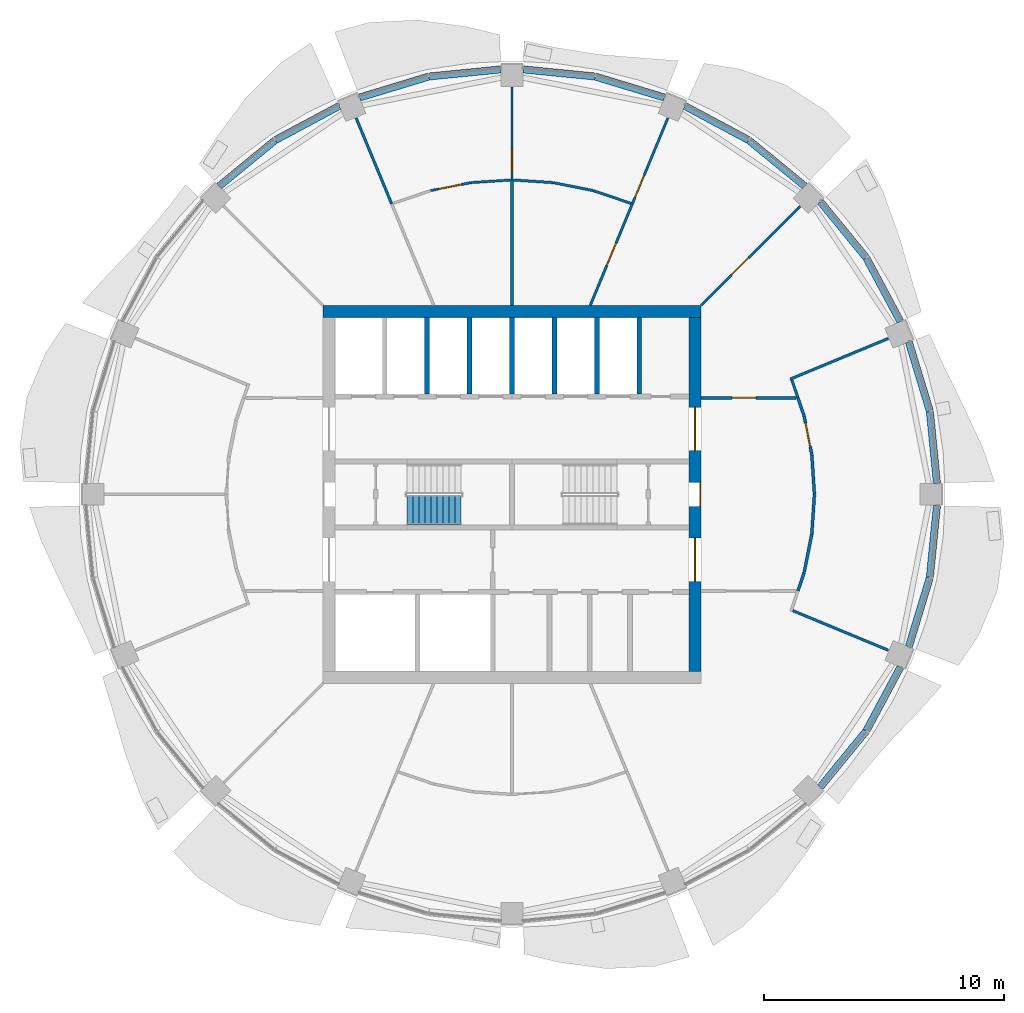
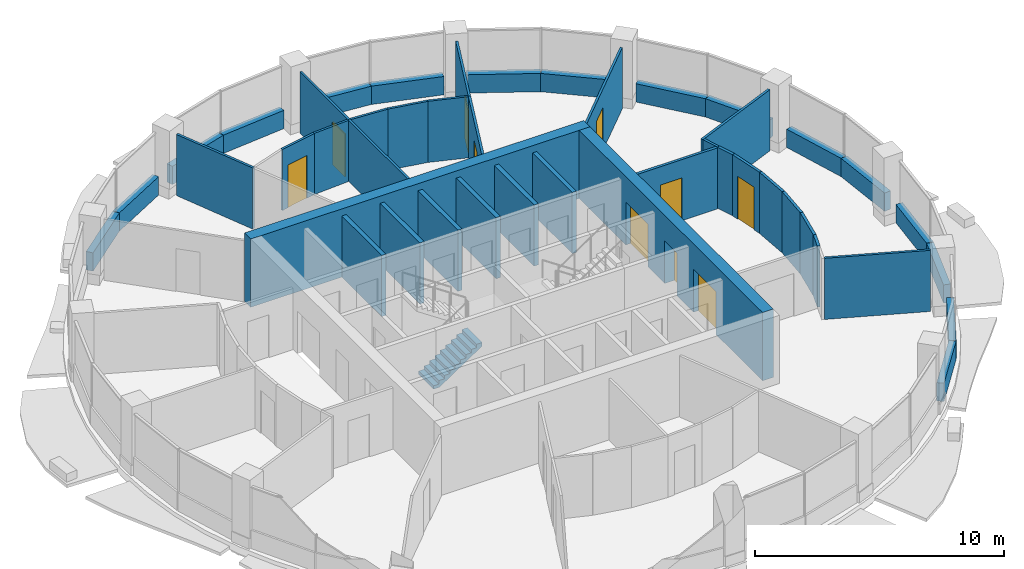
# One storey, part 10 of 15: 45 walls, 10 doors, 1 stair flight, 10 openings, 1 element without a shape of its own.
"""IFC4 building model written with IfcOpenShell, lengths in metres."""

import ifcopenshell
import ifcopenshell.guid

model = None  # the IFC model being written
_history = None  # IfcOwnerHistory: only IFC2X3 demands one
_inside = {}  # id of a spatial element -> (the spatial element, [elements in it])
_under = {}  # id of a project, library or spatial element -> (it, [spatial elements below it])
_declared = {}  # id of a project -> (the project, [libraries it declares])
_typed = {}  # id of a type object -> (the type object, [elements of that type])
_made_of = {}  # id of a material, layer set ... -> (it, [elements and type objects made of it])


def new_model(schema):
    """Start an empty IFC model of exactly this schema.

    Asked for "IFC4X3", IfcOpenShell would pick the latest addendum, in which some entities
    have other attributes; the version numbers below select the first issue.
    IFC2X3 requires an IfcOwnerHistory on every rooted entity: one is made here for all.
    """
    global model, _history
    if schema == "IFC4X3":
        model = ifcopenshell.file(schema_version=(4, 3, 0, 0))
    else:
        model = ifcopenshell.file(schema=schema)
    _inside.clear()
    _under.clear()
    _declared.clear()
    _typed.clear()
    _made_of.clear()
    _history = None
    if model.schema == "IFC2X3":
        org = make("IfcOrganization", Name="unknown")
        user = make(
            "IfcPersonAndOrganization",
            ThePerson=make("IfcPerson", FamilyName="unknown"),
            TheOrganization=org,
        )
        app = make(
            "IfcApplication",
            ApplicationDeveloper=org,
            Version="unknown",
            ApplicationFullName="unknown",
            ApplicationIdentifier="unknown",
        )
        _history = make(
            "IfcOwnerHistory",
            OwningUser=user,
            OwningApplication=app,
            ChangeAction="ADDED",
            CreationDate=0,
        )
    return model


def make(cls, **values):
    """One entity of the class cls with the attributes given. An attribute that is None is left unset."""
    return model.create_entity(
        cls, **{name: value for name, value in values.items() if value is not None}
    )


def rooted(cls, **values):
    """An entity with a GlobalId (a new one), such as an element, a storey or a relation."""
    return make(cls, GlobalId=ifcopenshell.guid.new(), OwnerHistory=_history, **values)


def si_unit(unit_type, name, prefix=None):
    """IfcSIUnit, for example si_unit("LENGTHUNIT", "METRE", prefix="MILLI")."""
    return make("IfcSIUnit", UnitType=unit_type, Prefix=prefix, Name=name)


def assignment(units):
    """IfcUnitAssignment: the units of a project."""
    return None if units is None else make("IfcUnitAssignment", Units=units)


def point(xyz):
    """IfcCartesianPoint."""
    return None if xyz is None else make("IfcCartesianPoint", Coordinates=xyz)


def direction(xyz):
    """IfcDirection."""
    return None if xyz is None else make("IfcDirection", DirectionRatios=xyz)


def frame(location, z_axis=None, x_axis=None):
    """IfcAxis2Placement3D, a coordinate frame: its origin and axes. An axis left out is left unset."""
    return make(
        "IfcAxis2Placement3D",
        Location=point(location),
        Axis=direction(z_axis),
        RefDirection=direction(x_axis),
    )


def frame_2d(location, x_axis=None):
    """IfcAxis2Placement2D, a coordinate frame in the plane: its origin and x axis."""
    return make(
        "IfcAxis2Placement2D", Location=point(location), RefDirection=direction(x_axis)
    )


def origin():
    """The frame at (0, 0, 0) with its axes left unset."""
    return frame((0.0, 0.0, 0.0))


def place(relative_to, where):
    """IfcLocalPlacement: puts the frame where relative to a parent placement (None: the world)."""
    return make(
        "IfcLocalPlacement", PlacementRelTo=relative_to, RelativePlacement=where
    )


def context(
    kind, dimensions, precision=None, world=None, true_north=None, identifier=None
):
    """IfcGeometricRepresentationContext, for example the 3D "Model" context."""
    return make(
        "IfcGeometricRepresentationContext",
        ContextIdentifier=identifier,
        ContextType=kind,
        CoordinateSpaceDimension=dimensions,
        Precision=precision,
        WorldCoordinateSystem=world,
        TrueNorth=true_north,
    )


def subcontext(parent, identifier, kind, view, scale=None):
    """IfcGeometricRepresentationSubContext, for example "Body" below "Model"."""
    return make(
        "IfcGeometricRepresentationSubContext",
        ContextIdentifier=identifier,
        ContextType=kind,
        ParentContext=parent,
        TargetScale=scale,
        TargetView=view,
    )


def project(units=None, contexts=None):
    """IfcProject with its units and contexts."""
    return rooted(
        "IfcProject",
        Name="project",
        RepresentationContexts=contexts,
        UnitsInContext=assignment(units),
    )


def spatial(cls, under=None, at=None, **own):
    """A site, building, storey or space (cls), placed at a placement, below another one or the project."""
    s = rooted(cls, ObjectPlacement=at, **own)
    if under is not None:
        _under.setdefault(under.id(), (under, []))[1].append(s)
    return s


def polyline(points):
    """IfcPolyline through the points."""
    return make("IfcPolyline", Points=[point(p) for p in points])


def profile(cls, at=None, kind="AREA", **sizes):
    """A parametric profile (cls). Its sizes go by their IFC names, for example OverallWidth=200.0."""
    return make(cls, ProfileType=kind, Position=at, **sizes)


def rectangle(**sizes):
    """IfcRectangleProfileDef."""
    return profile("IfcRectangleProfileDef", **sizes)


def outline(outer, holes=None, kind="AREA"):
    """IfcArbitraryClosedProfileDef: a profile drawn as a closed curve; with holes, ...WithVoids."""
    if holes is None:
        return make("IfcArbitraryClosedProfileDef", ProfileType=kind, OuterCurve=outer)
    return make(
        "IfcArbitraryProfileDefWithVoids",
        ProfileType=kind,
        OuterCurve=outer,
        InnerCurves=holes,
    )


def extrude(swept, where, along, depth):
    """IfcExtrudedAreaSolid: the profile swept, set in the frame where, extruded along a direction by depth."""
    return make(
        "IfcExtrudedAreaSolid",
        SweptArea=swept,
        Position=where,
        ExtrudedDirection=direction(along),
        Depth=depth,
    )


def shape(context_of_items, identifier, shape_type, items):
    """IfcShapeRepresentation: the items that make up one representation, for example the "Body"."""
    return make(
        "IfcShapeRepresentation",
        ContextOfItems=context_of_items,
        RepresentationIdentifier=identifier,
        RepresentationType=shape_type,
        Items=items,
    )


def material(Name=None, Category=None):
    """IfcMaterial."""
    return make("IfcMaterial", Name=Name, Category=Category)


def layer(
    of_material, thickness, ventilated=None, Name=None, Category=None, Priority=None
):
    """IfcMaterialLayer: one layer of a wall or slab, of a material (None: an air gap)."""
    return make(
        "IfcMaterialLayer",
        Material=of_material,
        LayerThickness=thickness,
        IsVentilated=ventilated,
        Name=Name,
        Category=Category,
        Priority=Priority,
    )


def layer_set(layers, Name=None):
    """IfcMaterialLayerSet."""
    return make("IfcMaterialLayerSet", MaterialLayers=layers, LayerSetName=Name)


def made_of(thing, what):
    """Note that an element or type object is made of a material, layer set ...; save() writes the relation."""
    if what is not None:
        _made_of.setdefault(what.id(), (what, []))[1].append(thing)
    return thing


def type_object(cls, material=None, **own):
    """A type object (cls), such as IfcWallType, which elements share."""
    return made_of(rooted(cls, **own), material)


def element(
    cls,
    number,
    at=None,
    inside=None,
    cuts=None,
    type_object=None,
    material=None,
    context=None,
    identifier="Body",
    shape_type=None,
    held_by="IfcProductDefinitionShape",
    body=None,
    shapes=None,
    **own,
):
    """One element of the class cls, such as IfcWall. Its Tag is "e" and its number.

    at: its placement. inside: the storey or other place that contains it. cuts: it is an
    opening in that element (IfcRelVoidsElement). A single representation is given by context,
    identifier, shape_type and body (its items); several are given by shapes. held_by: the class
    of the entity that holds the representations. save() writes the other relations.
    """
    e = rooted(cls, Tag="e%d" % number, ObjectPlacement=at, **own)
    if body is not None:
        shapes = [shape(context, identifier, shape_type, body)]
    if shapes is not None:
        e.Representation = make(held_by, Representations=shapes)
    if inside is not None:
        _inside.setdefault(inside.id(), (inside, []))[1].append(e)
    if cuts is not None:
        rooted(
            "IfcRelVoidsElement", RelatingBuildingElement=cuts, RelatedOpeningElement=e
        )
    if type_object is not None:
        _typed.setdefault(type_object.id(), (type_object, []))[1].append(e)
    return made_of(e, material)


def fill(opening, filler):
    """IfcRelFillsElement: the door or window that sits in an opening."""
    return rooted(
        "IfcRelFillsElement",
        RelatingOpeningElement=opening,
        RelatedBuildingElement=filler,
    )


def aggregate(whole, parts):
    """IfcRelAggregates: a whole, such as a stair, and the parts it consists of."""
    return rooted("IfcRelAggregates", RelatingObject=whole, RelatedObjects=parts)


def save(model, path):
    """Write the relations noted so far, then the file.

    IfcRelAggregates (storeys below a building ...), IfcRelContainedInSpatialStructure (elements
    in a storey), IfcRelDefinesByType, IfcRelAssociatesMaterial and IfcRelDeclares: one each for
    every whole, place, type object, material and project.
    """
    for whole, parts in _under.values():
        aggregate(whole, parts)
    for where, things in _inside.values():
        rooted(
            "IfcRelContainedInSpatialStructure",
            RelatedElements=things,
            RelatingStructure=where,
        )
    for kind, things in _typed.values():
        rooted("IfcRelDefinesByType", RelatedObjects=things, RelatingType=kind)
    for what, things in _made_of.values():
        rooted("IfcRelAssociatesMaterial", RelatedObjects=things, RelatingMaterial=what)
    for by, libraries in _declared.values():
        rooted("IfcRelDeclares", RelatingContext=by, RelatedDefinitions=libraries)
    model.write(path)


model = new_model("IFC4")

# Units and contexts
model_context = context("Model", 3, precision=1e-05, world=origin(), true_north=direction((0.0, 1.0)))
body_context = subcontext(model_context, "Body", "Model", "MODEL_VIEW")
ifc_project = project(units=[si_unit("LENGTHUNIT", "METRE"), si_unit("AREAUNIT", "SQUARE_METRE"), si_unit("VOLUMEUNIT", "CUBIC_METRE"), si_unit("PLANEANGLEUNIT", "RADIAN"), si_unit("MASSUNIT", "GRAM", prefix="KILO")], contexts=[model_context])

# Site, building, storey
site_placement = place(None, origin())
site = spatial("IfcSite", under=ifc_project, at=site_placement, CompositionType="ELEMENT")
building_placement = place(site_placement, origin())
building = spatial("IfcBuilding", under=site, at=building_placement, Name="Polderwave Tower", CompositionType="ELEMENT")
storey_placement = place(building_placement, frame((0.0, 0.0, 187.64990234375)))
storey = spatial("IfcBuildingStorey", under=building, at=storey_placement, Name="L50", CompositionType="ELEMENT", Elevation=187.64990234375)

# Wall
ifc_material_1 = material(Name="Concrete C60/75", Category="concrete")
ifc_layer_1 = layer(ifc_material_1, 0.5)
ifc_layer_set_1 = layer_set([ifc_layer_1], Name="CORE WALL 500 C60/75")
wall_type_1 = type_object("IfcWallType", Name="CORE WALL 500 C60/75", PredefinedType="SHEAR", material=ifc_layer_set_1)
wall_1_placement = place(storey_placement, frame((-7.8740234375, 7.6240234375, 0.0), z_axis=(0.0, 0.0, 1.0), x_axis=(1.0, 0.0, 0.0)))
element("IfcWall", 1, at=wall_1_placement, inside=storey, type_object=wall_type_1, Name="ST-CORE-L50-N", PredefinedType="SHEAR", context=body_context, shape_type="SweptSolid", body=[
    extrude(rectangle(XDim=15.748046875, YDim=0.5, at=frame_2d((7.8740234375, 0.0))), origin(), (0.0, 0.0, 1.0), 3.35009765625),
])

# Wall, openings, doors
wall_2_placement = place(storey_placement, frame((7.6240234375, -7.3740234375, 0.0), z_axis=(0.0, 0.0, 1.0), x_axis=(0.0, 1.0, 0.0)))
wall_2 = element("IfcWall", 2, at=wall_2_placement, inside=storey, type_object=wall_type_1, Name="ST-CORE-L50-E", PredefinedType="SHEAR", context=body_context, shape_type="SweptSolid", body=[
    extrude(rectangle(XDim=14.748046875, YDim=0.5, at=frame_2d((7.3740234375, 0.0))), origin(), (0.0, 0.0, 1.0), 3.35009765625),
])
opening_1_placement = place(wall_2_placement, frame((6.8740234375, 0.0, 0.0)))
opening_1 = element("IfcOpeningElement", 3, at=opening_1_placement, cuts=wall_2, Name="Opening L50-D23", PredefinedType="OPENING", context=body_context, shape_type="SweptSolid", body=[
    extrude(rectangle(XDim=1.0, YDim=2.10009765625, at=frame_2d((0.5, 1.050048828125))), frame((0.0, 0.260009765625, 0.0), z_axis=(0.0, -1.0, 0.0), x_axis=(1.0, 0.0, 0.0)), (0.0, 0.0, 1.0), 0.52001953125),
])
opening_2_placement = place(wall_2_placement, frame((3.74951171875, 0.0, 0.0)))
opening_2 = element("IfcOpeningElement", 4, at=opening_2_placement, cuts=wall_2, Name="Opening L50-D24", PredefinedType="OPENING", context=body_context, shape_type="SweptSolid", body=[
    extrude(rectangle(XDim=1.800048828125, YDim=2.10009765625, at=frame_2d((0.89990234375, 1.050048828125))), frame((0.0, 0.260009765625, 0.0), z_axis=(0.0, -1.0, 0.0), x_axis=(1.0, 0.0, 0.0)), (0.0, 0.0, 1.0), 0.52001953125),
])
opening_3_placement = place(wall_2_placement, frame((9.198486328125, 0.0, 0.0)))
opening_3 = element("IfcOpeningElement", 5, at=opening_3_placement, cuts=wall_2, Name="Opening L50-D25", PredefinedType="OPENING", context=body_context, shape_type="SweptSolid", body=[
    extrude(rectangle(XDim=1.800048828125, YDim=2.10009765625, at=frame_2d((0.89990234375, 1.050048828125))), frame((0.0, 0.260009765625, 0.0), z_axis=(0.0, -1.0, 0.0), x_axis=(1.0, 0.0, 0.0)), (0.0, 0.0, 1.0), 0.52001953125),
])
ifc_material_2 = material(Name="Steel fire door", Category="steel")
door_type_1 = type_object("IfcDoorType", Name="Lobby entry door pair 1800", OperationType="DOUBLE_DOOR_SINGLE_SWING", PredefinedType="DOOR", material=ifc_material_2)
door_1_placement = place(opening_2_placement, frame((1.800048828125, 0.0, 0.0), z_axis=(0.0, 0.0, 1.0), x_axis=(-1.0, 0.0, 0.0)))
door_1 = element("IfcDoor", 6, at=door_1_placement, inside=storey, type_object=door_type_1, Name="South lobby entry door", OperationType="DOUBLE_DOOR_SINGLE_SWING", OverallHeight=2.10009765625, OverallWidth=1.800048828125, PredefinedType="DOOR", context=body_context, shape_type="SweptSolid", body=[
    extrude(rectangle(XDim=1.800048828125, YDim=2.10009765625, at=frame_2d((0.89990234375, 1.050048828125))), frame((0.0, 0.02490234375, 0.0), z_axis=(0.0, -1.0, 0.0), x_axis=(1.0, 0.0, 0.0)), (0.0, 0.0, 1.0), 0.050048828125),
])
fill(opening_2, door_1)
door_2_placement = place(opening_3_placement, frame((1.800048828125, 0.0, 0.0), z_axis=(0.0, 0.0, 1.0), x_axis=(-1.0, 0.0, 0.0)))
door_2 = element("IfcDoor", 7, at=door_2_placement, inside=storey, type_object=door_type_1, Name="North lobby entry door", OperationType="DOUBLE_DOOR_SINGLE_SWING", OverallHeight=2.10009765625, OverallWidth=1.800048828125, PredefinedType="DOOR", context=body_context, shape_type="SweptSolid", body=[
    extrude(rectangle(XDim=1.800048828125, YDim=2.10009765625, at=frame_2d((0.89990234375, 1.050048828125))), frame((0.0, 0.02490234375, 0.0), z_axis=(0.0, -1.0, 0.0), x_axis=(1.0, 0.0, 0.0)), (0.0, 0.0, 1.0), 0.050048828125),
])
fill(opening_3, door_2)
door_type_2 = type_object("IfcDoorType", Name="Stair door 1000", OperationType="NOTDEFINED", PredefinedType="DOOR", material=ifc_material_2)
door_3_placement = place(opening_1_placement, frame((1.0, 0.0, 0.0), z_axis=(0.0, 0.0, 1.0), x_axis=(-1.0, 0.0, 0.0)))
door_3 = element("IfcDoor", 8, at=door_3_placement, inside=storey, type_object=door_type_2, Name="Stair B entry door", OperationType="SINGLE_SWING_LEFT", OverallHeight=2.10009765625, OverallWidth=1.0, PredefinedType="DOOR", context=body_context, shape_type="SweptSolid", body=[
    extrude(rectangle(XDim=1.0, YDim=2.10009765625, at=frame_2d((0.5, 1.050048828125))), frame((0.0, 0.25, 0.0), z_axis=(0.0, -1.0, 0.0), x_axis=(1.0, 0.0, 0.0)), (0.0, 0.0, 1.0), 0.050048828125),
])
fill(opening_1, door_3)

# Walls
ifc_material_3 = material(Name="Concrete C50/60 (board-marked)", Category="concrete")
ifc_layer_2 = layer(ifc_material_3, 0.300048828125)
ifc_layer_set_2 = layer_set([ifc_layer_2], Name="Concrete spandrel upstand C50/60")
wall_type_2 = type_object("IfcWallType", Name="Concrete spandrel upstand C50/60", PredefinedType="SOLIDWALL", material=ifc_layer_set_2)
wall_3_placement = place(storey_placement, frame((17.70458984375, 0.4638671875, 0.0), z_axis=(0.0, 0.0, 1.0), x_axis=(-0.098109030901, 0.995175671957, 0.0)))
element("IfcWall", 9, at=wall_3_placement, inside=storey, type_object=wall_type_2, Name="Spandrel L50 1a", PredefinedType="SOLIDWALL", context=body_context, shape_type="SweptSolid", body=[
    extrude(rectangle(XDim=2.99853515625, YDim=0.300048828125, at=frame_2d((1.499267578125, 0.0))), origin(), (0.0, 0.0, 1.0), 0.900146484375),
])
wall_4_placement = place(storey_placement, frame((17.404541015625, 3.477294921875, 0.0), z_axis=(0.0, 0.0, 1.0), x_axis=(-0.290490921835, 0.95687774785, 0.0)))
element("IfcWall", 10, at=wall_4_placement, inside=storey, type_object=wall_type_2, Name="Spandrel L50 1b", PredefinedType="SOLIDWALL", context=body_context, shape_type="SweptSolid", body=[
    extrude(rectangle(XDim=2.998779296875, YDim=0.300048828125, at=frame_2d((1.49951171875, 0.0))), origin(), (0.0, 0.0, 1.0), 0.900146484375),
])
wall_5_placement = place(storey_placement, frame((16.178955078125, 7.2041015625, 0.0), z_axis=(0.0, 0.0, 1.0), x_axis=(-0.471572734074, 0.881827169278, 0.0)))
element("IfcWall", 11, at=wall_5_placement, inside=storey, type_object=wall_type_2, Name="Spandrel L50 2a", PredefinedType="SOLIDWALL", context=body_context, shape_type="SweptSolid", body=[
    extrude(rectangle(XDim=2.998046875, YDim=0.300048828125, at=frame_2d((1.4990234375, 0.0))), origin(), (0.0, 0.0, 1.0), 0.900146484375),
])
for number, where, z_axis, x_axis, name in (
    (12, (14.74853515625, 9.87255859375, 0.0), (0.0, 0.0, 1.0), (-0.634208079217, 0.773162410012, 0.0), "Spandrel L50 2b"),
    (13, (12.19140625, 12.846435546875, 0.0), (0.0, 0.0, 1.0), (-0.773162410012, 0.634208079217, 0.0), "Spandrel L50 3a"),
):
    element("IfcWall", number, at=place(storey_placement, frame(where, z_axis=z_axis, x_axis=x_axis)), inside=storey, type_object=wall_type_2, Name=name, PredefinedType="SOLIDWALL", context=body_context, shape_type="SweptSolid", body=[
        extrude(rectangle(XDim=2.999267578125, YDim=0.300048828125, at=frame_2d((1.49951171875, 0.0))), origin(), (0.0, 0.0, 1.0), 0.900146484375),
    ])
wall_6_placement = place(storey_placement, frame((9.847900390625, 14.76513671875, 0.0), z_axis=(0.0, 0.0, 1.0), x_axis=(-0.881827169278, 0.471572734074, 0.0)))
element("IfcWall", 14, at=wall_6_placement, inside=storey, type_object=wall_type_2, Name="Spandrel L50 3b", PredefinedType="SOLIDWALL", context=body_context, shape_type="SweptSolid", body=[
    extrude(rectangle(XDim=2.998046875, YDim=0.300048828125, at=frame_2d((1.4990234375, 0.0))), origin(), (0.0, 0.0, 1.0), 0.900146484375),
])
wall_7_placement = place(storey_placement, frame((6.3466796875, 16.533447265625, 0.0), z_axis=(0.0, 0.0, 1.0), x_axis=(-0.95687774785, 0.290490921835, 0.0)))
element("IfcWall", 15, at=wall_7_placement, inside=storey, type_object=wall_type_2, Name="Spandrel L50 4a", PredefinedType="SOLIDWALL", context=body_context, shape_type="SweptSolid", body=[
    extrude(rectangle(XDim=2.998779296875, YDim=0.300048828125, at=frame_2d((1.49951171875, 0.0))), origin(), (0.0, 0.0, 1.0), 0.900146484375),
])
for number, where, z_axis, x_axis, name in (
    (16, (3.447998046875, 17.410400390625, 0.0), (0.0, 0.0, 1.0), (-0.995175671957, 0.098109030901, 0.0), "Spandrel L50 4b"),
    (17, (-0.4638671875, 17.70458984375, 0.0), (0.0, 0.0, 1.0), (-0.995175671957, -0.098109030901, 0.0), "Spandrel L50 5a"),
):
    element("IfcWall", number, at=place(storey_placement, frame(where, z_axis=z_axis, x_axis=x_axis)), inside=storey, type_object=wall_type_2, Name=name, PredefinedType="SOLIDWALL", context=body_context, shape_type="SweptSolid", body=[
        extrude(rectangle(XDim=2.99853515625, YDim=0.300048828125, at=frame_2d((1.499267578125, 0.0))), origin(), (0.0, 0.0, 1.0), 0.900146484375),
    ])
wall_8_placement = place(storey_placement, frame((-3.477294921875, 17.404541015625, 0.0), z_axis=(0.0, 0.0, 1.0), x_axis=(-0.95687774785, -0.290490921835, 0.0)))
element("IfcWall", 18, at=wall_8_placement, inside=storey, type_object=wall_type_2, Name="Spandrel L50 5b", PredefinedType="SOLIDWALL", context=body_context, shape_type="SweptSolid", body=[
    extrude(rectangle(XDim=2.998779296875, YDim=0.300048828125, at=frame_2d((1.49951171875, 0.0))), origin(), (0.0, 0.0, 1.0), 0.900146484375),
])
wall_9_placement = place(storey_placement, frame((-7.2041015625, 16.178955078125, 0.0), z_axis=(0.0, 0.0, 1.0), x_axis=(-0.881827169278, -0.471572734074, 0.0)))
element("IfcWall", 19, at=wall_9_placement, inside=storey, type_object=wall_type_2, Name="Spandrel L50 6a", PredefinedType="SOLIDWALL", context=body_context, shape_type="SweptSolid", body=[
    extrude(rectangle(XDim=2.998046875, YDim=0.300048828125, at=frame_2d((1.4990234375, 0.0))), origin(), (0.0, 0.0, 1.0), 0.900146484375),
])
for number, where, z_axis, x_axis, name in (
    (20, (-9.87255859375, 14.74853515625, 0.0), (0.0, 0.0, 1.0), (-0.773162410012, -0.634208079217, 0.0), "Spandrel L50 6b"),
    (21, (12.846435546875, -12.19140625, 0.0), (0.0, 0.0, 1.0), (0.634208079217, 0.773162410012, 0.0), "Spandrel L50 15a"),
):
    element("IfcWall", number, at=place(storey_placement, frame(where, z_axis=z_axis, x_axis=x_axis)), inside=storey, type_object=wall_type_2, Name=name, PredefinedType="SOLIDWALL", context=body_context, shape_type="SweptSolid", body=[
        extrude(rectangle(XDim=2.999267578125, YDim=0.300048828125, at=frame_2d((1.49951171875, 0.0))), origin(), (0.0, 0.0, 1.0), 0.900146484375),
    ])
wall_10_placement = place(storey_placement, frame((14.76513671875, -9.847900390625, 0.0), z_axis=(0.0, 0.0, 1.0), x_axis=(0.471572734074, 0.881827169278, 0.0)))
element("IfcWall", 22, at=wall_10_placement, inside=storey, type_object=wall_type_2, Name="Spandrel L50 15b", PredefinedType="SOLIDWALL", context=body_context, shape_type="SweptSolid", body=[
    extrude(rectangle(XDim=2.998046875, YDim=0.300048828125, at=frame_2d((1.4990234375, 0.0))), origin(), (0.0, 0.0, 1.0), 0.900146484375),
])
wall_11_placement = place(storey_placement, frame((16.533447265625, -6.3466796875, 0.0), z_axis=(0.0, 0.0, 1.0), x_axis=(0.290490921835, 0.95687774785, 0.0)))
element("IfcWall", 23, at=wall_11_placement, inside=storey, type_object=wall_type_2, Name="Spandrel L50 16a", PredefinedType="SOLIDWALL", context=body_context, shape_type="SweptSolid", body=[
    extrude(rectangle(XDim=2.998779296875, YDim=0.300048828125, at=frame_2d((1.49951171875, 0.0))), origin(), (0.0, 0.0, 1.0), 0.900146484375),
])
wall_12_placement = place(storey_placement, frame((17.410400390625, -3.447998046875, 0.0), z_axis=(0.0, 0.0, 1.0), x_axis=(0.098109030901, 0.995175671957, 0.0)))
element("IfcWall", 24, at=wall_12_placement, inside=storey, type_object=wall_type_2, Name="Spandrel L50 16b", PredefinedType="SOLIDWALL", context=body_context, shape_type="SweptSolid", body=[
    extrude(rectangle(XDim=2.99853515625, YDim=0.300048828125, at=frame_2d((1.499267578125, 0.0))), origin(), (0.0, 0.0, 1.0), 0.900146484375),
])
ifc_material_4 = material(Name="Fire-resisting board on steel studs", Category="steel")
ifc_layer_3 = layer(ifc_material_4, 0.125)
ifc_layer_set_3 = layer_set([ifc_layer_3], Name="Corridor wall 125 mm EI 60")
wall_type_3 = type_object("IfcWallType", Name="Corridor wall 125 mm EI 60", PredefinedType="PARTITIONING", material=ifc_layer_set_3)
for number, where, z_axis, x_axis, name in (
    (25, (11.91162109375, 4.0244140625, 0.0), (0.0, 0.0, 1.0), (0.321427947704, -0.946934039115, 0.0), "IN-L50-W001"),
    (26, (12.16943359375, -3.264892578125, 0.0), (0.0, 0.0, 1.0), (-0.321427947704, -0.946934039115, 0.0), "IN-L50-W002"),
):
    element("IfcWall", number, at=place(storey_placement, frame(where, z_axis=z_axis, x_axis=x_axis)), inside=storey, type_object=wall_type_3, Name=name, PredefinedType="PARTITIONING", context=body_context, shape_type="SweptSolid", body=[
        extrude(rectangle(XDim=0.802001953125, YDim=0.125, at=frame_2d((0.40087890625, 0.0))), origin(), (0.0, 0.0, 1.0), 3.0),
    ])

# Wall, opening, door
wall_13_placement = place(storey_placement, frame((12.17138671875, 3.257080078125, 0.0), z_axis=(0.0, 0.0, 1.0), x_axis=(0.195171279076, -0.980769173569, 0.0)))
wall_13 = element("IfcWall", 27, at=wall_13_placement, inside=storey, type_object=wall_type_3, Name="IN-L50-W003", PredefinedType="PARTITIONING", context=body_context, shape_type="SweptSolid", body=[
    extrude(rectangle(XDim=1.639892578125, YDim=0.125, at=frame_2d((0.81982421875, 0.0))), origin(), (0.0, 0.0, 1.0), 3.0),
])
opening_4_placement = place(wall_13_placement, frame((0.300048828125, 0.0, 0.0)))
opening_4 = element("IfcOpeningElement", 28, at=opening_4_placement, cuts=wall_13, Name="Opening L50-D50", PredefinedType="OPENING", context=body_context, shape_type="SweptSolid", body=[
    extrude(rectangle(XDim=1.0, YDim=2.10009765625, at=frame_2d((0.5, 1.050048828125))), frame((0.0, 0.072509765625, 0.0), z_axis=(0.0, -1.0, 0.0), x_axis=(1.0, 0.0, 0.0)), (0.0, 0.0, 1.0), 0.14501953125),
])
ifc_material_5 = material(Name="Timber fire door leaf", Category="wood")
door_type_3 = type_object("IfcDoorType", Name="Fire door FD30S 1000 x 2100", OperationType="NOTDEFINED", PredefinedType="DOOR", material=ifc_material_5)
door_4_placement = place(opening_4_placement, origin())
door_4 = element("IfcDoor", 29, at=door_4_placement, inside=storey, type_object=door_type_3, Name="Door L50-D50", OperationType="SINGLE_SWING_LEFT", OverallHeight=2.10009765625, OverallWidth=1.0, PredefinedType="DOOR", context=body_context, shape_type="SweptSolid", body=[
    extrude(rectangle(XDim=1.0, YDim=2.10009765625, at=frame_2d((0.5, 1.050048828125))), frame((0.0, 0.02490234375, 0.0), z_axis=(0.0, -1.0, 0.0), x_axis=(1.0, 0.0, 0.0)), (0.0, 0.0, 1.0), 0.050048828125),
])
fill(opening_4, door_4)

# Walls
wall_14_placement = place(storey_placement, frame((12.491455078125, -1.648681640625, 0.0), z_axis=(0.0, 0.0, 1.0), x_axis=(-0.195171279076, -0.980769173569, 0.0)))
element("IfcWall", 30, at=wall_14_placement, inside=storey, type_object=wall_type_3, Name="IN-L50-W004", PredefinedType="PARTITIONING", context=body_context, shape_type="SweptSolid", body=[
    extrude(rectangle(XDim=1.639892578125, YDim=0.125, at=frame_2d((0.81982421875, 0.0))), origin(), (0.0, 0.0, 1.0), 3.0),
])
for number, where, z_axis, x_axis, name in (
    (31, (12.492431640625, 1.640380859375, 0.0), (0.0, 0.0, 1.0), (0.065362761633, -0.997861568251, 0.0), "IN-L50-W005"),
    (32, (12.599609375, -0.004150390625, 0.0), (0.0, 0.0, 1.0), (-0.065362761633, -0.997861568251, 0.0), "IN-L50-W006"),
):
    element("IfcWall", number, at=place(storey_placement, frame(where, z_axis=z_axis, x_axis=x_axis)), inside=storey, type_object=wall_type_3, Name=name, PredefinedType="PARTITIONING", context=body_context, shape_type="SweptSolid", body=[
        extrude(rectangle(XDim=1.6396484375, YDim=0.125, at=frame_2d((0.81982421875, 0.0))), origin(), (0.0, 0.0, 1.0), 3.0),
    ])

# Wall, opening, door
wall_15_placement = place(storey_placement, frame((7.8740234375, 4.0244140625, 0.0), z_axis=(0.0, 0.0, 1.0), x_axis=(1.0, 0.0, 0.0)))
wall_15 = element("IfcWall", 33, at=wall_15_placement, inside=storey, type_object=wall_type_3, Name="IN-L50-W007", PredefinedType="PARTITIONING", context=body_context, shape_type="SweptSolid", body=[
    extrude(rectangle(XDim=3.9501953125, YDim=0.125, at=frame_2d((1.97509765625, 0.0))), origin(), (0.0, 0.0, 1.0), 3.0),
])
opening_5_placement = place(wall_15_placement, frame((1.300048828125, 0.0, 0.0)))
opening_5 = element("IfcOpeningElement", 34, at=opening_5_placement, cuts=wall_15, Name="Opening L50-D51", PredefinedType="OPENING", context=body_context, shape_type="SweptSolid", body=[
    extrude(rectangle(XDim=1.0, YDim=2.10009765625, at=frame_2d((0.5, 1.050048828125))), frame((0.0, 0.072509765625, 0.0), z_axis=(0.0, -1.0, 0.0), x_axis=(1.0, 0.0, 0.0)), (0.0, 0.0, 1.0), 0.14501953125),
])
door_5_placement = place(opening_5_placement, origin())
door_5 = element("IfcDoor", 35, at=door_5_placement, inside=storey, type_object=door_type_3, Name="Door L50-D51", OperationType="SINGLE_SWING_LEFT", OverallHeight=2.10009765625, OverallWidth=1.0, PredefinedType="DOOR", context=body_context, shape_type="SweptSolid", body=[
    extrude(rectangle(XDim=1.0, YDim=2.10009765625, at=frame_2d((0.5, 1.050048828125))), frame((0.0, 0.02490234375, 0.0), z_axis=(0.0, -1.0, 0.0), x_axis=(1.0, 0.0, 0.0)), (0.0, 0.0, 1.0), 0.050048828125),
])
fill(opening_5, door_5)

ifc_material_6 = material(Name="Plasterboard on steel studs", Category="steel")
ifc_layer_4 = layer(ifc_material_6, 0.10009765625)
ifc_layer_set_4 = layer_set([ifc_layer_4], Name="Partition 100 mm plasterboard on steel studs")
wall_type_4 = type_object("IfcWallType", Name="Partition 100 mm plasterboard on steel studs", PredefinedType="PARTITIONING", material=ifc_layer_set_4)
wall_16_placement = place(storey_placement, frame((7.8740234375, 7.8740234375, 0.0), z_axis=(0.0, 0.0, 1.0), x_axis=(0.707106781187, 0.707106781187, 0.0)))
wall_16 = element("IfcWall", 36, at=wall_16_placement, inside=storey, type_object=wall_type_4, Name="IN-L50-W021", PredefinedType="PARTITIONING", context=body_context, shape_type="SweptSolid", body=[
    extrude(rectangle(XDim=5.834228515625, YDim=0.10009765625, at=frame_2d((2.9169921875, 0.0))), origin(), (0.0, 0.0, 1.0), 3.0),
])
opening_6_placement = place(wall_16_placement, frame((1.800048828125, 0.0, 0.0)))
opening_6 = element("IfcOpeningElement", 37, at=opening_6_placement, cuts=wall_16, Name="Opening L50-D57", PredefinedType="OPENING", context=body_context, shape_type="SweptSolid", body=[
    extrude(rectangle(XDim=1.0, YDim=2.10009765625, at=frame_2d((0.5, 1.050048828125))), frame((0.0, 0.06005859375, 0.0), z_axis=(0.0, -1.0, 0.0), x_axis=(1.0, 0.0, 0.0)), (0.0, 0.0, 1.0), 0.1201171875),
])
ifc_material_7 = material(Name="Timber veneer door leaf", Category="wood")
door_type_4 = type_object("IfcDoorType", Name="Single door 1000 x 2100", OperationType="NOTDEFINED", PredefinedType="DOOR", material=ifc_material_7)
door_6_placement = place(opening_6_placement, origin())
door_6 = element("IfcDoor", 38, at=door_6_placement, inside=storey, type_object=door_type_4, Name="Door L50-D57", OperationType="SINGLE_SWING_LEFT", OverallHeight=2.10009765625, OverallWidth=1.0, PredefinedType="DOOR", context=body_context, shape_type="SweptSolid", body=[
    extrude(rectangle(XDim=1.0, YDim=2.10009765625, at=frame_2d((0.5, 1.050048828125))), frame((0.0, 0.02490234375, 0.0), z_axis=(0.0, -1.0, 0.0), x_axis=(1.0, 0.0, 0.0)), (0.0, 0.0, 1.0), 0.050048828125),
])
fill(opening_6, door_6)

wall_17_placement = place(storey_placement, frame((5.01318359375, 12.102783203125, 0.0), z_axis=(0.0, 0.0, 1.0), x_axis=(0.382674944996, 0.923883048049, 0.0)))
wall_17 = element("IfcWall", 39, at=wall_17_placement, inside=storey, type_object=wall_type_4, Name="IN-L50-W023", PredefinedType="PARTITIONING", context=body_context, shape_type="SweptSolid", body=[
    extrude(rectangle(XDim=3.8701171875, YDim=0.10009765625, at=frame_2d((1.93505859375, 0.0))), origin(), (0.0, 0.0, 1.0), 3.0),
])
opening_7_placement = place(wall_17_placement, frame((0.300048828125, 0.0, 0.0)))
opening_7 = element("IfcOpeningElement", 40, at=opening_7_placement, cuts=wall_17, Name="Opening L50-D59", PredefinedType="OPENING", context=body_context, shape_type="SweptSolid", body=[
    extrude(rectangle(XDim=1.0, YDim=2.10009765625, at=frame_2d((0.5, 1.050048828125))), frame((0.0, 0.06005859375, 0.0), z_axis=(0.0, -1.0, 0.0), x_axis=(1.0, 0.0, 0.0)), (0.0, 0.0, 1.0), 0.1201171875),
])
door_7_placement = place(opening_7_placement, origin())
door_7 = element("IfcDoor", 41, at=door_7_placement, inside=storey, type_object=door_type_4, Name="Door L50-D59", OperationType="SINGLE_SWING_LEFT", OverallHeight=2.10009765625, OverallWidth=1.0, PredefinedType="DOOR", context=body_context, shape_type="SweptSolid", body=[
    extrude(rectangle(XDim=1.0, YDim=2.10009765625, at=frame_2d((0.5, 1.050048828125))), frame((0.0, 0.02490234375, 0.0), z_axis=(0.0, -1.0, 0.0), x_axis=(1.0, 0.0, 0.0)), (0.0, 0.0, 1.0), 0.050048828125),
])
fill(opening_7, door_7)

wall_18_placement = place(storey_placement, frame((0.0, 13.10009765625, 0.0), z_axis=(0.0, 0.0, 1.0), x_axis=(0.0, 1.0, 0.0)))
wall_18 = element("IfcWall", 42, at=wall_18_placement, inside=storey, type_object=wall_type_4, Name="IN-L50-W028", PredefinedType="PARTITIONING", context=body_context, shape_type="SweptSolid", body=[
    extrude(rectangle(XDim=3.869873046875, YDim=0.10009765625, at=frame_2d((1.93505859375, 0.0))), origin(), (0.0, 0.0, 1.0), 3.0),
])
opening_8_placement = place(wall_18_placement, frame((0.300048828125, 0.0, 0.0)))
opening_8 = element("IfcOpeningElement", 43, at=opening_8_placement, cuts=wall_18, Name="Opening L50-D60", PredefinedType="OPENING", context=body_context, shape_type="SweptSolid", body=[
    extrude(rectangle(XDim=1.0, YDim=2.10009765625, at=frame_2d((0.5, 1.050048828125))), frame((0.0, 0.06005859375, 0.0), z_axis=(0.0, -1.0, 0.0), x_axis=(1.0, 0.0, 0.0)), (0.0, 0.0, 1.0), 0.1201171875),
])
door_8_placement = place(opening_8_placement, origin())
door_8 = element("IfcDoor", 44, at=door_8_placement, inside=storey, type_object=door_type_4, Name="Door L50-D60", OperationType="SINGLE_SWING_LEFT", OverallHeight=2.10009765625, OverallWidth=1.0, PredefinedType="DOOR", context=body_context, shape_type="SweptSolid", body=[
    extrude(rectangle(XDim=1.0, YDim=2.10009765625, at=frame_2d((0.5, 1.050048828125))), frame((0.0, 0.02490234375, 0.0), z_axis=(0.0, -1.0, 0.0), x_axis=(1.0, 0.0, 0.0)), (0.0, 0.0, 1.0), 0.050048828125),
])
fill(opening_8, door_8)

wall_19_placement = place(storey_placement, frame((-1.713134765625, 12.9873046875, 0.0), z_axis=(0.0, 0.0, 1.0), x_axis=(-0.980783695828, -0.195098288043, 0.0)))
wall_19 = element("IfcWall", 45, at=wall_19_placement, inside=storey, type_object=wall_type_4, Name="IN-L50-W030", PredefinedType="PARTITIONING", context=body_context, shape_type="SweptSolid", body=[
    extrude(rectangle(XDim=1.706787109375, YDim=0.10009765625, at=frame_2d((0.853515625, 0.0))), origin(), (0.0, 0.0, 1.0), 3.0),
])
opening_9_placement = place(wall_19_placement, frame((0.39990234375, 0.0, 0.0)))
opening_9 = element("IfcOpeningElement", 46, at=opening_9_placement, cuts=wall_19, Name="Opening L50-D61", PredefinedType="OPENING", context=body_context, shape_type="SweptSolid", body=[
    extrude(rectangle(XDim=1.0, YDim=2.10009765625, at=frame_2d((0.5, 1.050048828125))), frame((0.0, 0.06005859375, 0.0), z_axis=(0.0, -1.0, 0.0), x_axis=(1.0, 0.0, 0.0)), (0.0, 0.0, 1.0), 0.1201171875),
])
door_9_placement = place(opening_9_placement, origin())
door_9 = element("IfcDoor", 47, at=door_9_placement, inside=storey, type_object=door_type_4, Name="Door L50-D61", OperationType="SINGLE_SWING_RIGHT", OverallHeight=2.10009765625, OverallWidth=1.0, PredefinedType="DOOR", context=body_context, shape_type="SweptSolid", body=[
    extrude(rectangle(XDim=1.0, YDim=2.10009765625, at=frame_2d((0.5, 1.050048828125))), frame((0.0, 0.02490234375, 0.0), z_axis=(0.0, -1.0, 0.0), x_axis=(1.0, 0.0, 0.0)), (0.0, 0.0, 1.0), 0.050048828125),
])
fill(opening_9, door_9)

# Wall
wall_20_placement = place(storey_placement, frame((-1.70654296875, 12.988037109375, 0.0), z_axis=(0.0, 0.0, 1.0), x_axis=(0.997860265299, 0.06538265013, 0.0)))
element("IfcWall", 48, at=wall_20_placement, inside=storey, type_object=wall_type_4, Name="IN-L50-W031", PredefinedType="PARTITIONING", context=body_context, shape_type="SweptSolid", body=[
    extrude(rectangle(XDim=1.654052734375, YDim=0.10009765625, at=frame_2d((0.8271484375, 0.0))), origin(), (0.0, 0.0, 1.0), 3.0),
])

# Wall, opening, door
ifc_material_8 = material(Name="Moisture-resistant board on steel studs, tiled", Category="steel")
ifc_layer_5 = layer(ifc_material_8, 0.10498046875)
ifc_layer_set_5 = layer_set([ifc_layer_5], Name="Partition 105 mm wet room board and tile")
wall_type_5 = type_object("IfcWallType", Name="Partition 105 mm wet room board and tile", PredefinedType="PARTITIONING", material=ifc_layer_set_5)
wall_21_placement = place(storey_placement, frame((3.261474609375, 7.8740234375, 0.0), z_axis=(0.0, 0.0, 1.0), x_axis=(0.382701956612, 0.923871859299, 0.0)))
wall_21 = element("IfcWall", 49, at=wall_21_placement, inside=storey, type_object=wall_type_5, Name="IN-L50-W022", PredefinedType="PARTITIONING", context=body_context, shape_type="SweptSolid", body=[
    extrude(rectangle(XDim=4.5771484375, YDim=0.10498046875, at=frame_2d((2.28857421875, 0.0))), origin(), (0.0, 0.0, 1.0), 3.0),
])
opening_10_placement = place(wall_21_placement, frame((1.800048828125, 0.0, 0.0)))
opening_10 = element("IfcOpeningElement", 50, at=opening_10_placement, cuts=wall_21, Name="Opening L50-D58", PredefinedType="OPENING", context=body_context, shape_type="SweptSolid", body=[
    extrude(rectangle(XDim=1.0, YDim=2.10009765625, at=frame_2d((0.5, 1.050048828125))), frame((0.0, 0.0625, 0.0), z_axis=(0.0, -1.0, 0.0), x_axis=(1.0, 0.0, 0.0)), (0.0, 0.0, 1.0), 0.125),
])
door_10_placement = place(opening_10_placement, origin())
door_10 = element("IfcDoor", 51, at=door_10_placement, inside=storey, type_object=door_type_4, Name="Door L50-D58", OperationType="SINGLE_SWING_RIGHT", OverallHeight=2.10009765625, OverallWidth=1.0, PredefinedType="DOOR", context=body_context, shape_type="SweptSolid", body=[
    extrude(rectangle(XDim=1.0, YDim=2.10009765625, at=frame_2d((0.5, 1.050048828125))), frame((0.0, 0.02490234375, 0.0), z_axis=(0.0, -1.0, 0.0), x_axis=(1.0, 0.0, 0.0)), (0.0, 0.0, 1.0), 0.050048828125),
])
fill(opening_10, door_10)

# Walls
wall_22_placement = place(storey_placement, frame((0.055908203125, 13.09619140625, 0.0), z_axis=(0.0, 0.0, 1.0), x_axis=(0.997860265299, -0.06538265013, 0.0)))
element("IfcWall", 52, at=wall_22_placement, inside=storey, type_object=wall_type_5, Name="IN-L50-W024", PredefinedType="PARTITIONING", context=body_context, shape_type="SweptSolid", body=[
    extrude(rectangle(XDim=1.654052734375, YDim=0.10498046875, at=frame_2d((0.8271484375, 0.0))), origin(), (0.0, 0.0, 1.0), 3.0),
])
wall_23_placement = place(storey_placement, frame((1.71337890625, 12.9873046875, 0.0), z_axis=(0.0, 0.0, 1.0), x_axis=(0.980778250333, -0.195125661239, 0.0)))
element("IfcWall", 53, at=wall_23_placement, inside=storey, type_object=wall_type_5, Name="IN-L50-W025", PredefinedType="PARTITIONING", context=body_context, shape_type="SweptSolid", body=[
    extrude(rectangle(XDim=1.70654296875, YDim=0.10498046875, at=frame_2d((0.853271484375, 0.0))), origin(), (0.0, 0.0, 1.0), 3.0),
])
wall_24_placement = place(storey_placement, frame((3.393798828125, 12.652587890625, 0.0), z_axis=(0.0, 0.0, 1.0), x_axis=(0.946927367808, -0.321447600855, 0.0)))
element("IfcWall", 54, at=wall_24_placement, inside=storey, type_object=wall_type_5, Name="IN-L50-W026", PredefinedType="PARTITIONING", context=body_context, shape_type="SweptSolid", body=[
    extrude(rectangle(XDim=1.654296875, YDim=0.10498046875, at=frame_2d((0.8271484375, 0.0))), origin(), (0.0, 0.0, 1.0), 3.0),
])
wall_25_placement = place(storey_placement, frame((0.0, 7.8740234375, 0.0), z_axis=(0.0, 0.0, 1.0), x_axis=(0.0, 1.0, 0.0)))
element("IfcWall", 55, at=wall_25_placement, inside=storey, type_object=wall_type_5, Name="IN-L50-W027", PredefinedType="PARTITIONING", context=body_context, shape_type="SweptSolid", body=[
    extrude(rectangle(XDim=5.22607421875, YDim=0.10498046875, at=frame_2d((2.613037109375, 0.0))), origin(), (0.0, 0.0, 1.0), 3.0),
])
ifc_material_9 = material(Name="Acoustic double plasterboard on steel studs", Category="steel")
ifc_layer_6 = layer(ifc_material_9, 0.110107421875)
ifc_layer_set_6 = layer_set([ifc_layer_6], Name="Partition 110 mm acoustic double board")
wall_type_6 = type_object("IfcWallType", Name="Partition 110 mm acoustic double board", PredefinedType="PARTITIONING", material=ifc_layer_set_6)
wall_26_placement = place(storey_placement, frame((11.590087890625, 4.80078125, 0.0), z_axis=(0.0, 0.0, 1.0), x_axis=(0.92387965154, 0.382683145003, 0.0)))
element("IfcWall", 56, at=wall_26_placement, inside=storey, type_object=wall_type_6, Name="IN-L50-W017", PredefinedType="PARTITIONING", context=body_context, shape_type="SweptSolid", body=[
    extrude(rectangle(XDim=4.425048828125, YDim=0.110107421875, at=frame_2d((2.21240234375, 0.0))), origin(), (0.0, 0.0, 1.0), 3.0),
])
wall_27_placement = place(storey_placement, frame((11.91162109375, 4.0244140625, 0.0), z_axis=(0.0, 0.0, 1.0), x_axis=(-0.321366225339, 0.946954987954, 0.0)))
element("IfcWall", 57, at=wall_27_placement, inside=storey, type_object=wall_type_6, Name="IN-L50-W018", PredefinedType="PARTITIONING", context=body_context, shape_type="SweptSolid", body=[
    extrude(rectangle(XDim=0.783203125, YDim=0.110107421875, at=frame_2d((0.3916015625, 0.0))), origin(), (0.0, 0.0, 1.0), 3.0),
])
wall_28_placement = place(storey_placement, frame((15.67822265625, -6.494140625, 0.0), z_axis=(0.0, 0.0, 1.0), x_axis=(-0.923869121921, 0.382708564787, 0.0)))
element("IfcWall", 58, at=wall_28_placement, inside=storey, type_object=wall_type_6, Name="IN-L50-W020", PredefinedType="PARTITIONING", context=body_context, shape_type="SweptSolid", body=[
    extrude(rectangle(XDim=4.31103515625, YDim=0.110107421875, at=frame_2d((2.155517578125, 0.0))), origin(), (0.0, 0.0, 1.0), 3.0),
])
wall_29_placement = place(storey_placement, frame((-5.01318359375, 12.102783203125, 0.0), z_axis=(0.0, 0.0, 1.0), x_axis=(-0.382674944996, 0.923883048049, 0.0)))
element("IfcWall", 59, at=wall_29_placement, inside=storey, type_object=wall_type_6, Name="IN-L50-W033", PredefinedType="PARTITIONING", context=body_context, shape_type="SweptSolid", body=[
    extrude(rectangle(XDim=3.8701171875, YDim=0.110107421875, at=frame_2d((1.93505859375, 0.0))), origin(), (0.0, 0.0, 1.0), 3.0),
])
ifc_material_10 = material(Name="Gypsum shaft wall system")
ifc_layer_7 = layer(ifc_material_10, 0.199951171875)
ifc_layer_set_7 = layer_set([ifc_layer_7], Name="Shaft wall 200")
wall_type_7 = type_object("IfcWallType", Name="Shaft wall 200", PredefinedType="PARTITIONING", material=ifc_layer_set_7)
for number, where, z_axis, x_axis, name in (
    (60, (-3.537109375, 4.174072265625, 0.0), (0.0, 0.0, 1.0), (0.0, 1.0, 0.0), "L50 lift shaft wall N2"),
    (61, (-1.7685546875, 4.174072265625, 0.0), (0.0, 0.0, 1.0), (0.0, 1.0, 0.0), "L50 lift shaft wall N3"),
    (62, (0.0, 4.174072265625, 0.0), (0.0, 0.0, 1.0), (0.0, 1.0, 0.0), "L50 lift shaft wall N4"),
    (63, (1.7685546875, 4.174072265625, 0.0), (0.0, 0.0, 1.0), (0.0, 1.0, 0.0), "L50 lift shaft wall N5"),
    (64, (3.537109375, 4.174072265625, 0.0), (0.0, 0.0, 1.0), (0.0, 1.0, 0.0), "L50 lift shaft wall N6"),
    (65, (5.305419921875, 4.174072265625, 0.0), (0.0, 0.0, 1.0), (0.0, 1.0, 0.0), "L50 lift shaft wall N7"),
):
    element("IfcWall", number, at=place(storey_placement, frame(where, z_axis=z_axis, x_axis=x_axis)), inside=storey, type_object=wall_type_7, Name=name, PredefinedType="PARTITIONING", context=body_context, shape_type="SweptSolid", body=[
        extrude(rectangle(XDim=3.199951171875, YDim=0.199951171875, at=frame_2d((1.60009765625, 0.0))), origin(), (0.0, 0.0, 1.0), 3.0),
    ])

# Stair, stair flight
ifc_material_11 = material(Name="Concrete C40/50", Category="concrete")
stair_type = type_object("IfcStairType", Name="Exit stair 1200 x 20 risers", PredefinedType="HALF_TURN_STAIR", material=ifc_material_11)
stair_placement = place(storey_placement, origin())
stair = element("IfcStair", 66, at=stair_placement, inside=storey, type_object=stair_type, Name="L50 Exit stair A", PredefinedType="HALF_TURN_STAIR")
stair_flight_type = type_object("IfcStairFlightType", Name="Stair flight 1200", PredefinedType="STRAIGHT", material=ifc_material_11)
stair_flight_placement = place(storey_placement, frame((-4.3740234375, -0.675048828125, 0.0), z_axis=(0.0, 0.0, 1.0), x_axis=(1.0, 0.0, 0.0)))
stair_flight = element("IfcStairFlight", 67, at=stair_flight_placement, type_object=stair_flight_type, Name="ST-A flight 1", NumberOfRisers=10, NumberOfTreads=9, PredefinedType="STRAIGHT", RiserHeight=0.1675, TreadLength=0.25, context=body_context, shape_type="SweptSolid", body=[
    extrude(outline(polyline([(0.0, 0.0), (0.0, 0.16748046875), (0.25, 0.16748046875), (0.25, 0.3349609375), (0.5, 0.3349609375), (0.5, 0.50244140625), (0.75, 0.50244140625), (0.75, 0.669921875), (1.0, 0.669921875), (1.0, 0.83740234375), (1.25, 0.83740234375), (1.25, 1.0048828125), (1.5, 1.0048828125), (1.5, 1.172607421875), (1.75, 1.172607421875), (1.75, 1.340087890625), (2.0, 1.340087890625), (2.0, 1.507568359375), (2.25, 1.507568359375), (2.25, 1.675048828125), (2.25, 1.3271484375), (0.269287109375, 0.0), (0.0, 0.0)])), frame((0.0, 0.60009765625, 0.0), z_axis=(0.0, -1.0, 0.0), x_axis=(1.0, 0.0, 0.0)), (0.0, 0.0, 1.0), 1.199951171875),
])
aggregate(stair, [stair_flight])

save(model, "model.ifc")
